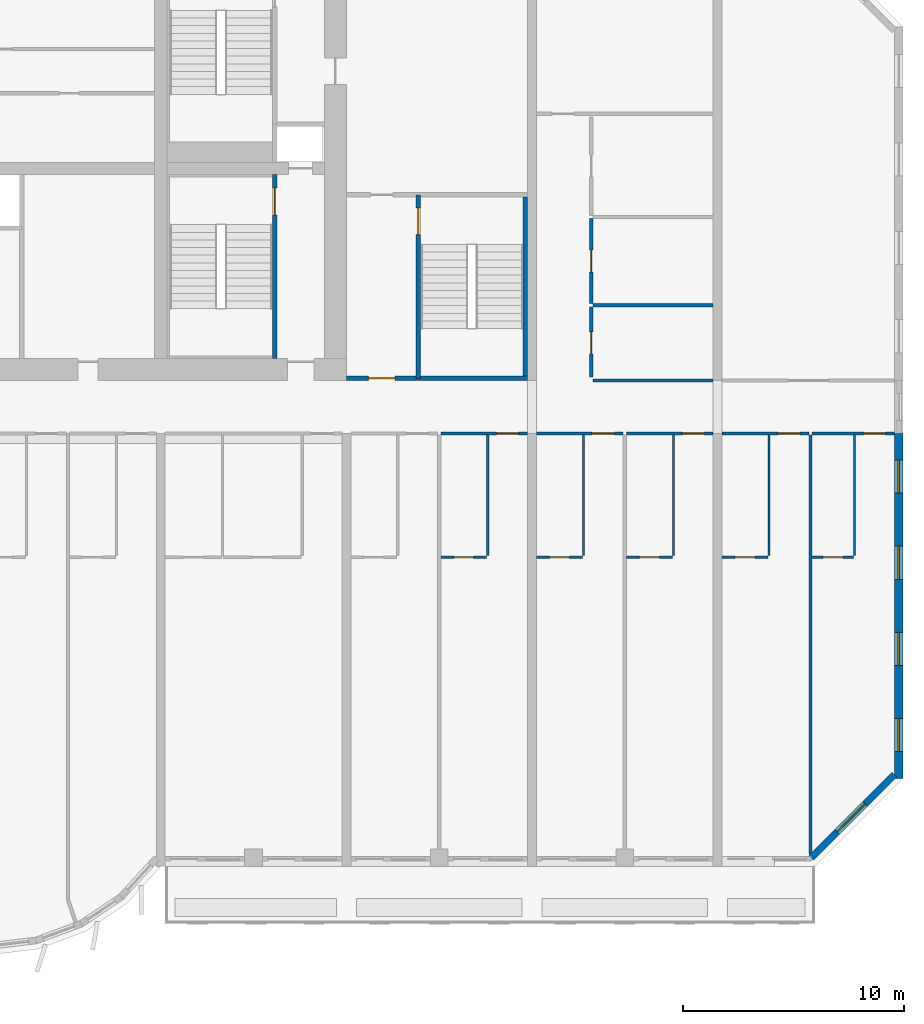
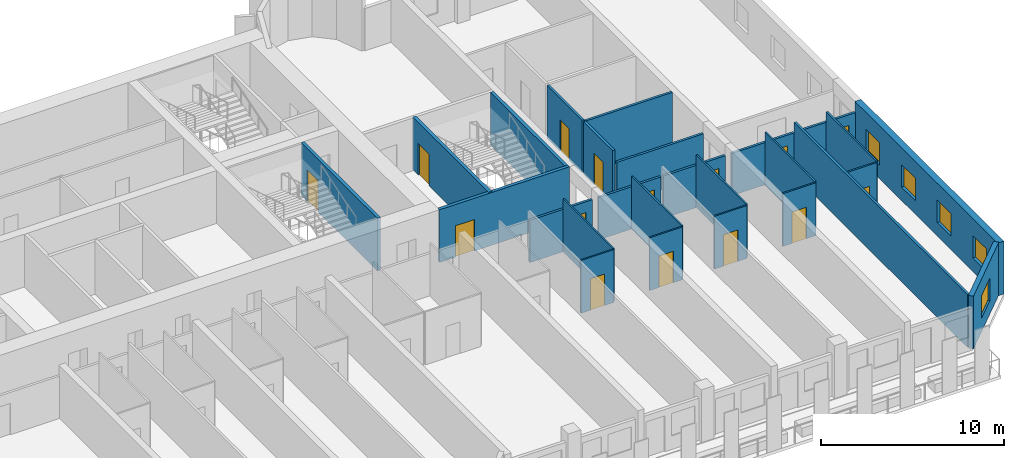
# One storey, part 9 of 14: 26 walls, 15 doors, 5 windows, 20 openings.
"""IFC4 building model written with IfcOpenShell, lengths in metres."""

from ifc_helpers import new_model, si_unit, direction, frame, frame_2d, origin, place, context, subcontext, project, spatial, rectangle, extrude, source, transform, mapped, material, layer, layer_set, type_object, element, fill, save


model = new_model("IFC4")

# Units and contexts
model_context = context("Model", 3, precision=1e-05, world=origin(), true_north=direction((0.0, 1.0)))
body_context = subcontext(model_context, "Body", "Model", "MODEL_VIEW")
ifc_project = project(units=[si_unit("LENGTHUNIT", "METRE"), si_unit("AREAUNIT", "SQUARE_METRE"), si_unit("VOLUMEUNIT", "CUBIC_METRE"), si_unit("PLANEANGLEUNIT", "RADIAN"), si_unit("MASSUNIT", "GRAM", prefix="KILO")], contexts=[model_context])

# Site, building, storey
site_placement = place(None, origin())
site = spatial("IfcSite", under=ifc_project, at=site_placement, CompositionType="ELEMENT")
building_placement = place(site_placement, origin())
building = spatial("IfcBuilding", under=site, at=building_placement, Name="Vanashikhar Sky Hotel", CompositionType="ELEMENT")
storey_placement = place(building_placement, frame((0.0, 0.0, 54.39990234375)))
storey = spatial("IfcBuildingStorey", under=building, at=storey_placement, Name="L12", CompositionType="ELEMENT", Elevation=54.39990234375)

# Wall, openings, windows
ifc_material_1 = material(Name="Concrete M80", Category="concrete")
ifc_layer_1 = layer(ifc_material_1, 0.39990234375)
ifc_layer_set_1 = layer_set([ifc_layer_1], Name="RC shear wall 400 Concrete M80")
wall_type_1 = type_object("IfcWallType", Name="RC shear wall 400 Concrete M80", PredefinedType="SHEAR", material=ifc_layer_set_1)
shared_shape_1 = source(origin(), body_context, "Body", "SweptSolid", [
    extrude(rectangle(XDim=15.60009765625, YDim=0.39990234375, at=frame_2d((7.800048828125, 0.0))), origin(), (0.0, 0.0, 1.0), 3.52001953125),
])
wall_1_placement = place(storey_placement, frame((100.60009765625, 4.0, 0.0), z_axis=(0.0, 0.0, 1.0), x_axis=(0.0, 1.0, 0.0)))
wall_1 = element("IfcWall", 1, at=wall_1_placement, inside=storey, type_object=wall_type_1, Name="CW-L12-XW13-1", PredefinedType="SHEAR", context=body_context, shape_type="MappedRepresentation", body=[
    mapped(shared_shape_1, transform((0.0, 0.0, 0.0), scale=1.0)),
])
shared_shape_2 = source(origin(), body_context, "Body", "SweptSolid", [
    extrude(rectangle(XDim=1.5, YDim=1.5, at=frame_2d((0.75, 0.75))), frame((0.0, 0.2099609375, 0.0), z_axis=(0.0, -1.0, 0.0), x_axis=(1.0, 0.0, 0.0)), (0.0, 0.0, 1.0), 0.419921875),
])
opening_1_placement = place(wall_1_placement, frame((1.199951171875, 0.0, 0.89990234375)))
opening_1 = element("IfcOpeningElement", 2, at=opening_1_placement, cuts=wall_1, Name="Opening WN-1", PredefinedType="OPENING", context=body_context, shape_type="MappedRepresentation", body=[
    mapped(shared_shape_2, transform((0.0, 0.0, 0.0), scale=1.0)),
])
opening_2_placement = place(wall_1_placement, frame((5.10009765625, 0.0, 0.89990234375)))
opening_2 = element("IfcOpeningElement", 3, at=opening_2_placement, cuts=wall_1, Name="Opening WN-1", PredefinedType="OPENING", context=body_context, shape_type="MappedRepresentation", body=[
    mapped(shared_shape_2, transform((0.0, 0.0, 0.0), scale=1.0)),
])
opening_3_placement = place(wall_1_placement, frame((9.0, 0.0, 0.89990234375)))
opening_3 = element("IfcOpeningElement", 4, at=opening_3_placement, cuts=wall_1, Name="Opening WN-1", PredefinedType="OPENING", context=body_context, shape_type="MappedRepresentation", body=[
    mapped(shared_shape_2, transform((0.0, 0.0, 0.0), scale=1.0)),
])
opening_4_placement = place(wall_1_placement, frame((12.89990234375, 0.0, 0.89990234375)))
opening_4 = element("IfcOpeningElement", 5, at=opening_4_placement, cuts=wall_1, Name="Opening WN-1", PredefinedType="OPENING", context=body_context, shape_type="MappedRepresentation", body=[
    mapped(shared_shape_2, transform((0.0, 0.0, 0.0), scale=1.0)),
])
ifc_material_2 = material(Name="Glass", Category="glass")
window_type_1 = type_object("IfcWindowType", Name="Window 1500 x 1500", PartitioningType="SINGLE_PANEL", PredefinedType="WINDOW", material=ifc_material_2)
shared_shape_3 = source(origin(), body_context, "Body", "SweptSolid", [
    extrude(rectangle(XDim=1.5, YDim=1.5, at=frame_2d((0.75, 0.75))), frame((0.0, 0.030029296875, 0.0), z_axis=(0.0, -1.0, 0.0), x_axis=(1.0, 0.0, 0.0)), (0.0, 0.0, 1.0), 0.06005859375),
])
window_1_placement = place(opening_1_placement, origin())
window_1 = element("IfcWindow", 6, at=window_1_placement, inside=storey, type_object=window_type_1, Name="Window WN-1", OverallHeight=1.5, OverallWidth=1.5, PartitioningType="SINGLE_PANEL", PredefinedType="WINDOW", context=body_context, shape_type="MappedRepresentation", body=[
    mapped(shared_shape_3, transform((0.0, 0.0, 0.0), scale=1.0)),
])
fill(opening_1, window_1)
window_2_placement = place(opening_2_placement, origin())
window_2 = element("IfcWindow", 7, at=window_2_placement, inside=storey, type_object=window_type_1, Name="Window WN-1", OverallHeight=1.5, OverallWidth=1.5, PartitioningType="SINGLE_PANEL", PredefinedType="WINDOW", context=body_context, shape_type="MappedRepresentation", body=[
    mapped(shared_shape_3, transform((0.0, 0.0, 0.0), scale=1.0)),
])
fill(opening_2, window_2)
window_3_placement = place(opening_3_placement, origin())
window_3 = element("IfcWindow", 8, at=window_3_placement, inside=storey, type_object=window_type_1, Name="Window WN-1", OverallHeight=1.5, OverallWidth=1.5, PartitioningType="SINGLE_PANEL", PredefinedType="WINDOW", context=body_context, shape_type="MappedRepresentation", body=[
    mapped(shared_shape_3, transform((0.0, 0.0, 0.0), scale=1.0)),
])
fill(opening_3, window_3)
window_4_placement = place(opening_4_placement, origin())
window_4 = element("IfcWindow", 9, at=window_4_placement, inside=storey, type_object=window_type_1, Name="Window WN-1", OverallHeight=1.5, OverallWidth=1.5, PartitioningType="SINGLE_PANEL", PredefinedType="WINDOW", context=body_context, shape_type="MappedRepresentation", body=[
    mapped(shared_shape_3, transform((0.0, 0.0, 0.0), scale=1.0)),
])
fill(opening_4, window_4)

# Wall, opening, window
ifc_material_3 = material(Name="Concrete M50", Category="concrete")
ifc_layer_2 = layer(ifc_material_3, 0.300048828125)
ifc_layer_set_2 = layer_set([ifc_layer_2], Name="Lobe wall 300")
wall_type_2 = type_object("IfcWallType", Name="Lobe wall 300", PredefinedType="SOLIDWALL", material=ifc_layer_set_2)
shared_shape_4 = source(origin(), body_context, "Body", "SweptSolid", [
    extrude(rectangle(XDim=5.32568359375, YDim=0.300048828125, at=frame_2d((2.662841796875, 0.0))), origin(), (0.0, 0.0, 1.0), 3.52001953125),
])
wall_2_placement = place(storey_placement, frame((96.63427734375, 0.39990234375, 0.0), z_axis=(0.0, 0.0, 1.0), x_axis=(0.707083859269, 0.707129702361, 0.0)))
wall_2 = element("IfcWall", 10, at=wall_2_placement, inside=storey, type_object=wall_type_2, Name="Corner wall", PredefinedType="SOLIDWALL", context=body_context, shape_type="MappedRepresentation", body=[
    mapped(shared_shape_4, transform((0.0, 0.0, 0.0), scale=1.0)),
])
shared_shape_5 = source(origin(), body_context, "Body", "SweptSolid", [
    extrude(rectangle(XDim=1.800048828125, YDim=1.5, at=frame_2d((0.89990234375, 0.75))), frame((0.0, 0.16015625, 0.0), z_axis=(0.0, -1.0, 0.0), x_axis=(1.0, 0.0, 0.0)), (0.0, 0.0, 1.0), 0.320068359375),
])
opening_5_placement = place(wall_2_placement, frame((1.654296875, 0.0, 0.89990234375)))
opening_5 = element("IfcOpeningElement", 11, at=opening_5_placement, cuts=wall_2, Name="Opening WN-4", PredefinedType="OPENING", context=body_context, shape_type="MappedRepresentation", body=[
    mapped(shared_shape_5, transform((0.0, 0.0, 0.0), scale=1.0)),
])
window_type_2 = type_object("IfcWindowType", Name="Corner window 1800 x 1500", PartitioningType="SINGLE_PANEL", PredefinedType="WINDOW", material=ifc_material_2)
shared_shape_6 = source(origin(), body_context, "Body", "SweptSolid", [
    extrude(rectangle(XDim=1.800048828125, YDim=1.5, at=frame_2d((0.89990234375, 0.75))), frame((0.0, 0.030029296875, 0.0), z_axis=(0.0, -1.0, 0.0), x_axis=(1.0, 0.0, 0.0)), (0.0, 0.0, 1.0), 0.06005859375),
])
window_5_placement = place(opening_5_placement, origin())
window_5 = element("IfcWindow", 12, at=window_5_placement, inside=storey, type_object=window_type_2, Name="Window WN-4", OverallHeight=1.5, OverallWidth=1.800048828125, PartitioningType="SINGLE_PANEL", PredefinedType="WINDOW", context=body_context, shape_type="MappedRepresentation", body=[
    mapped(shared_shape_6, transform((0.0, 0.0, 0.0), scale=1.0)),
])
fill(opening_5, window_5)

# Wall, opening, door
ifc_layer_3 = layer(ifc_material_3, 0.199951171875)
ifc_layer_set_3 = layer_set([ifc_layer_3], Name="Stair wall 200")
wall_type_3 = type_object("IfcWallType", Name="Stair wall 200", PredefinedType="SOLIDWALL", material=ifc_layer_set_3)
shared_shape_7 = source(origin(), body_context, "Body", "SweptSolid", [
    extrude(rectangle(XDim=8.199951171875, YDim=0.199951171875, at=frame_2d((4.10009765625, 0.0))), origin(), (0.0, 0.0, 1.0), 3.52001953125),
])
wall_3_placement = place(storey_placement, frame((83.800048828125, 22.10009765625, 0.0), z_axis=(0.0, 0.0, 1.0), x_axis=(-1.0, 0.0, 0.0)))
wall_3 = element("IfcWall", 13, at=wall_3_placement, inside=storey, type_object=wall_type_3, Name="Stair wall 200", PredefinedType="SOLIDWALL", context=body_context, shape_type="MappedRepresentation", body=[
    mapped(shared_shape_7, transform((0.0, 0.0, 0.0), scale=1.0)),
])
shared_shape_8 = source(origin(), body_context, "Body", "SweptSolid", [
    extrude(rectangle(XDim=1.199951171875, YDim=2.10009765625, at=frame_2d((0.60009765625, 1.050048828125))), frame((0.0, 0.10986328125, 0.0), z_axis=(0.0, -1.0, 0.0), x_axis=(1.0, 0.0, 0.0)), (0.0, 0.0, 1.0), 0.219970703125),
])
opening_6_placement = place(wall_3_placement, frame((6.0, 0.0, 0.0)))
opening_6 = element("IfcOpeningElement", 14, at=opening_6_placement, cuts=wall_3, Name="Opening DC-2", PredefinedType="OPENING", context=body_context, shape_type="MappedRepresentation", body=[
    mapped(shared_shape_8, transform((0.0, 0.0, 0.0), scale=1.0)),
])
ifc_material_4 = material(Name="Steel", Category="steel")
door_type_1 = type_object("IfcDoorType", Name="Firefighting lobby door 1200 FD120", OperationType="NOTDEFINED", PredefinedType="DOOR", material=ifc_material_4)
shared_shape_9 = source(origin(), body_context, "Body", "SweptSolid", [
    extrude(rectangle(XDim=1.199951171875, YDim=2.10009765625, at=frame_2d((0.60009765625, 1.050048828125))), frame((0.0, 0.02490234375, 0.0), z_axis=(0.0, -1.0, 0.0), x_axis=(1.0, 0.0, 0.0)), (0.0, 0.0, 1.0), 0.050048828125),
])
door_1_placement = place(opening_6_placement, origin())
door_1 = element("IfcDoor", 15, at=door_1_placement, inside=storey, type_object=door_type_1, Name="Firefighting lobby door 1200 FD120", OperationType="SINGLE_SWING_LEFT", OverallHeight=2.10009765625, OverallWidth=1.199951171875, PredefinedType="DOOR", context=body_context, shape_type="MappedRepresentation", body=[
    mapped(shared_shape_9, transform((0.0, 0.0, 0.0), scale=1.0)),
])
fill(opening_6, door_1)

shared_shape_10 = source(origin(), body_context, "Body", "SweptSolid", [
    extrude(rectangle(XDim=8.2998046875, YDim=0.199951171875, at=frame_2d((4.14990234375, 0.0))), origin(), (0.0, 0.0, 1.0), 3.52001953125),
])
wall_4_placement = place(storey_placement, frame((78.85009765625, 22.10009765625, 0.0), z_axis=(0.0, 0.0, 1.0), x_axis=(0.0, 1.0, 0.0)))
wall_4 = element("IfcWall", 16, at=wall_4_placement, inside=storey, type_object=wall_type_3, Name="Stair wall 200", PredefinedType="SOLIDWALL", context=body_context, shape_type="MappedRepresentation", body=[
    mapped(shared_shape_10, transform((0.0, 0.0, 0.0), scale=1.0)),
])
opening_7_placement = place(wall_4_placement, frame((6.5, 0.0, 0.0)))
opening_7 = element("IfcOpeningElement", 17, at=opening_7_placement, cuts=wall_4, Name="Opening DC-1", PredefinedType="OPENING", context=body_context, shape_type="MappedRepresentation", body=[
    mapped(shared_shape_8, transform((0.0, 0.0, 0.0), scale=1.0)),
])
door_type_2 = type_object("IfcDoorType", Name="Stair door 1200 FD120", OperationType="NOTDEFINED", PredefinedType="DOOR", material=ifc_material_4)
door_2_placement = place(opening_7_placement, origin())
door_2 = element("IfcDoor", 18, at=door_2_placement, inside=storey, type_object=door_type_2, Name="Stair door 1200 FD120", OperationType="SINGLE_SWING_LEFT", OverallHeight=2.10009765625, OverallWidth=1.199951171875, PredefinedType="DOOR", context=body_context, shape_type="MappedRepresentation", body=[
    mapped(shared_shape_9, transform((0.0, 0.0, 0.0), scale=1.0)),
])
fill(opening_7, door_2)

shared_shape_11 = source(origin(), body_context, "Body", "SweptSolid", [
    extrude(rectangle(XDim=8.324951171875, YDim=0.199951171875, at=frame_2d((4.16259765625, 0.0))), origin(), (0.0, 0.0, 1.0), 3.52001953125),
])
wall_5_placement = place(storey_placement, frame((72.35009765625, 23.0, 0.0), z_axis=(0.0, 0.0, 1.0), x_axis=(0.0, 1.0, 0.0)))
wall_5 = element("IfcWall", 19, at=wall_5_placement, inside=storey, type_object=wall_type_3, Name="Stair wall 200", PredefinedType="SOLIDWALL", context=body_context, shape_type="MappedRepresentation", body=[
    mapped(shared_shape_11, transform((0.0, 0.0, 0.0), scale=1.0)),
])
opening_8_placement = place(wall_5_placement, frame((6.5, 0.0, 0.0)))
opening_8 = element("IfcOpeningElement", 20, at=opening_8_placement, cuts=wall_5, Name="Opening DC-1", PredefinedType="OPENING", context=body_context, shape_type="MappedRepresentation", body=[
    mapped(shared_shape_8, transform((0.0, 0.0, 0.0), scale=1.0)),
])
door_3_placement = place(opening_8_placement, origin())
door_3 = element("IfcDoor", 21, at=door_3_placement, inside=storey, type_object=door_type_2, Name="Stair door 1200 FD120", OperationType="SINGLE_SWING_RIGHT", OverallHeight=2.10009765625, OverallWidth=1.199951171875, PredefinedType="DOOR", context=body_context, shape_type="MappedRepresentation", body=[
    mapped(shared_shape_9, transform((0.0, 0.0, 0.0), scale=1.0)),
])
fill(opening_8, door_3)

# Walls
ifc_layer_4 = layer(ifc_material_3, 0.199951171875)
ifc_layer_set_4 = layer_set([ifc_layer_4], Name="Stair infill wall 200")
wall_type_4 = type_object("IfcWallType", Name="Stair infill wall 200", PredefinedType="SOLIDWALL", material=ifc_layer_set_4)
shared_shape_12 = source(origin(), body_context, "Body", "SweptSolid", [
    extrude(rectangle(XDim=8.10009765625, YDim=0.199951171875, at=frame_2d((4.050048828125, 0.0))), origin(), (0.0, 0.0, 1.0), 3.52001953125),
])
wall_6_placement = place(storey_placement, frame((83.699951171875, 22.199951171875, 0.0), z_axis=(0.0, 0.0, 1.0), x_axis=(0.0, 1.0, 0.0)))
element("IfcWall", 22, at=wall_6_placement, inside=storey, type_object=wall_type_4, Name="Stair infill wall 200", PredefinedType="SOLIDWALL", context=body_context, shape_type="MappedRepresentation", body=[
    mapped(shared_shape_12, transform((0.0, 0.0, 0.0), scale=1.0)),
])
ifc_material_5 = material(Name="Gypsum plasterboard partition")
ifc_layer_5 = layer(ifc_material_5, 0.14990234375)
ifc_layer_set_5 = layer_set([ifc_layer_5], Name="Corridor and demising partition 150")
wall_type_5 = type_object("IfcWallType", Name="Corridor and demising partition 150", PredefinedType="PARTITIONING", material=ifc_layer_set_5)
shared_shape_13 = source(origin(), body_context, "Body", "SweptSolid", [
    extrude(rectangle(XDim=18.947021484375, YDim=0.14990234375, at=frame_2d((9.4736328125, 0.0))), origin(), (0.0, 0.0, 1.0), 3.52001953125),
])
wall_7_placement = place(storey_placement, frame((96.60009765625, 0.577880859375, 0.0), z_axis=(0.0, 0.0, 1.0), x_axis=(0.0, 1.0, 0.0)))
element("IfcWall", 23, at=wall_7_placement, inside=storey, type_object=wall_type_5, Name="W-L12-PW070", PredefinedType="PARTITIONING", context=body_context, shape_type="MappedRepresentation", body=[
    mapped(shared_shape_13, transform((0.0, 0.0, 0.0), scale=1.0)),
])

# Wall, opening, door
shared_shape_14 = source(origin(), body_context, "Body", "SweptSolid", [
    extrude(rectangle(XDim=3.175048828125, YDim=0.14990234375, at=frame_2d((1.58740234375, 0.0))), origin(), (0.0, 0.0, 1.0), 3.52001953125),
])
wall_8_placement = place(storey_placement, frame((86.675048828125, 22.14990234375, 0.0), z_axis=(0.0, 0.0, 1.0), x_axis=(0.0, 1.0, 0.0)))
wall_8 = element("IfcWall", 24, at=wall_8_placement, inside=storey, type_object=wall_type_5, Name="W-L12-PW086", PredefinedType="PARTITIONING", context=body_context, shape_type="MappedRepresentation", body=[
    mapped(shared_shape_14, transform((0.0, 0.0, 0.0), scale=1.0)),
])
shared_shape_15 = source(origin(), body_context, "Body", "SweptSolid", [
    extrude(rectangle(XDim=1.0, YDim=2.10009765625, at=frame_2d((0.5, 1.050048828125))), frame((0.0, 0.0849609375, 0.0), z_axis=(0.0, -1.0, 0.0), x_axis=(1.0, 0.0, 0.0)), (0.0, 0.0, 1.0), 0.169921875),
])
opening_9_placement = place(wall_8_placement, frame((1.050048828125, 0.0, 0.0)))
opening_9 = element("IfcOpeningElement", 25, at=opening_9_placement, cuts=wall_8, Name="Opening D-01", PredefinedType="OPENING", context=body_context, shape_type="MappedRepresentation", body=[
    mapped(shared_shape_15, transform((0.0, 0.0, 0.0), scale=1.0)),
])
ifc_material_6 = material(Name="Timber fire door", Category="wood")
door_type_3 = type_object("IfcDoorType", Name="Guest entry door 1000 FD30S", OperationType="NOTDEFINED", PredefinedType="DOOR", material=ifc_material_6)
shared_shape_16 = source(origin(), body_context, "Body", "SweptSolid", [
    extrude(rectangle(XDim=1.0, YDim=2.10009765625, at=frame_2d((0.5, 1.050048828125))), frame((0.0, 0.02490234375, 0.0), z_axis=(0.0, -1.0, 0.0), x_axis=(1.0, 0.0, 0.0)), (0.0, 0.0, 1.0), 0.050048828125),
])
door_4_placement = place(opening_9_placement, origin())
door_4 = element("IfcDoor", 26, at=door_4_placement, inside=storey, type_object=door_type_3, Name="D-L12-049", OperationType="SINGLE_SWING_LEFT", OverallHeight=2.10009765625, OverallWidth=1.0, PredefinedType="DOOR", context=body_context, shape_type="MappedRepresentation", body=[
    mapped(shared_shape_16, transform((0.0, 0.0, 0.0), scale=1.0)),
])
fill(opening_9, door_4)

shared_shape_17 = source(origin(), body_context, "Body", "SweptSolid", [
    extrude(rectangle(XDim=3.849853515625, YDim=0.14990234375, at=frame_2d((1.9248046875, 0.0))), origin(), (0.0, 0.0, 1.0), 3.52001953125),
])
wall_9_placement = place(storey_placement, frame((86.675048828125, 25.47509765625, 0.0), z_axis=(0.0, 0.0, 1.0), x_axis=(0.0, 1.0, 0.0)))
wall_9 = element("IfcWall", 27, at=wall_9_placement, inside=storey, type_object=wall_type_5, Name="W-L12-PW088", PredefinedType="PARTITIONING", context=body_context, shape_type="MappedRepresentation", body=[
    mapped(shared_shape_17, transform((0.0, 0.0, 0.0), scale=1.0)),
])
opening_10_placement = place(wall_9_placement, frame((1.425048828125, 0.0, 0.0)))
opening_10 = element("IfcOpeningElement", 28, at=opening_10_placement, cuts=wall_9, Name="Opening D-01", PredefinedType="OPENING", context=body_context, shape_type="MappedRepresentation", body=[
    mapped(shared_shape_15, transform((0.0, 0.0, 0.0), scale=1.0)),
])
door_5_placement = place(opening_10_placement, origin())
door_5 = element("IfcDoor", 29, at=door_5_placement, inside=storey, type_object=door_type_3, Name="D-L12-050", OperationType="SINGLE_SWING_LEFT", OverallHeight=2.10009765625, OverallWidth=1.0, PredefinedType="DOOR", context=body_context, shape_type="MappedRepresentation", body=[
    mapped(shared_shape_16, transform((0.0, 0.0, 0.0), scale=1.0)),
])
fill(opening_10, door_5)

ifc_layer_6 = layer(ifc_material_5, 0.10009765625)
ifc_layer_set_6 = layer_set([ifc_layer_6], Name="Wet room partition 100")
wall_type_6 = type_object("IfcWallType", Name="Wet room partition 100", PredefinedType="PARTITIONING", material=ifc_layer_set_6)
shared_shape_18 = source(origin(), body_context, "Body", "SweptSolid", [
    extrude(rectangle(XDim=2.074951171875, YDim=0.10009765625, at=frame_2d((1.03759765625, 0.0))), origin(), (0.0, 0.0, 1.0), 3.52001953125),
])
wall_10_placement = place(storey_placement, frame((79.875, 14.0, 0.0), z_axis=(0.0, 0.0, 1.0), x_axis=(1.0, 0.0, 0.0)))
wall_10 = element("IfcWall", 30, at=wall_10_placement, inside=storey, type_object=wall_type_6, Name="W-L12-PW054", PredefinedType="PARTITIONING", context=body_context, shape_type="MappedRepresentation", body=[
    mapped(shared_shape_18, transform((0.0, 0.0, 0.0), scale=1.0)),
])
shared_shape_19 = source(origin(), body_context, "Body", "SweptSolid", [
    extrude(rectangle(XDim=0.89990234375, YDim=2.10009765625, at=frame_2d((0.449951171875, 1.050048828125))), frame((0.0, 0.06005859375, 0.0), z_axis=(0.0, -1.0, 0.0), x_axis=(1.0, 0.0, 0.0)), (0.0, 0.0, 1.0), 0.1201171875),
])
opening_11_placement = place(wall_10_placement, frame((0.5869140625, 0.0, 0.0)))
opening_11 = element("IfcOpeningElement", 31, at=opening_11_placement, cuts=wall_10, Name="Opening D-02", PredefinedType="OPENING", context=body_context, shape_type="MappedRepresentation", body=[
    mapped(shared_shape_19, transform((0.0, 0.0, 0.0), scale=1.0)),
])
ifc_material_7 = material(Name="Timber door", Category="wood")
door_type_4 = type_object("IfcDoorType", Name="Internal door 900", OperationType="NOTDEFINED", PredefinedType="DOOR", material=ifc_material_7)
shared_shape_20 = source(origin(), body_context, "Body", "SweptSolid", [
    extrude(rectangle(XDim=0.89990234375, YDim=2.10009765625, at=frame_2d((0.449951171875, 1.050048828125))), frame((0.0, 0.02490234375, 0.0), z_axis=(0.0, -1.0, 0.0), x_axis=(1.0, 0.0, 0.0)), (0.0, 0.0, 1.0), 0.050048828125),
])
door_6_placement = place(opening_11_placement, origin())
door_6 = element("IfcDoor", 32, at=door_6_placement, inside=storey, type_object=door_type_4, Name="D-L12-032", OperationType="SINGLE_SWING_RIGHT", OverallHeight=2.10009765625, OverallWidth=0.89990234375, PredefinedType="DOOR", context=body_context, shape_type="MappedRepresentation", body=[
    mapped(shared_shape_20, transform((0.0, 0.0, 0.0), scale=1.0)),
])
fill(opening_11, door_6)

wall_11_placement = place(storey_placement, frame((84.199951171875, 14.0, 0.0), z_axis=(0.0, 0.0, 1.0), x_axis=(1.0, 0.0, 0.0)))
wall_11 = element("IfcWall", 33, at=wall_11_placement, inside=storey, type_object=wall_type_6, Name="W-L12-PW058", PredefinedType="PARTITIONING", context=body_context, shape_type="MappedRepresentation", body=[
    mapped(shared_shape_18, transform((0.0, 0.0, 0.0), scale=1.0)),
])
opening_12_placement = place(wall_11_placement, frame((0.587890625, 0.0, 0.0)))
opening_12 = element("IfcOpeningElement", 34, at=opening_12_placement, cuts=wall_11, Name="Opening D-02", PredefinedType="OPENING", context=body_context, shape_type="MappedRepresentation", body=[
    mapped(shared_shape_19, transform((0.0, 0.0, 0.0), scale=1.0)),
])
door_7_placement = place(opening_12_placement, origin())
door_7 = element("IfcDoor", 35, at=door_7_placement, inside=storey, type_object=door_type_4, Name="D-L12-034", OperationType="SINGLE_SWING_RIGHT", OverallHeight=2.10009765625, OverallWidth=0.89990234375, PredefinedType="DOOR", context=body_context, shape_type="MappedRepresentation", body=[
    mapped(shared_shape_20, transform((0.0, 0.0, 0.0), scale=1.0)),
])
fill(opening_12, door_7)

wall_12_placement = place(storey_placement, frame((92.60009765625, 14.0, 0.0), z_axis=(0.0, 0.0, 1.0), x_axis=(1.0, 0.0, 0.0)))
wall_12 = element("IfcWall", 36, at=wall_12_placement, inside=storey, type_object=wall_type_6, Name="W-L12-PW065", PredefinedType="PARTITIONING", context=body_context, shape_type="MappedRepresentation", body=[
    mapped(shared_shape_18, transform((0.0, 0.0, 0.0), scale=1.0)),
])
opening_13_placement = place(wall_12_placement, frame((0.5869140625, 0.0, 0.0)))
opening_13 = element("IfcOpeningElement", 37, at=opening_13_placement, cuts=wall_12, Name="Opening D-02", PredefinedType="OPENING", context=body_context, shape_type="MappedRepresentation", body=[
    mapped(shared_shape_19, transform((0.0, 0.0, 0.0), scale=1.0)),
])
door_8_placement = place(opening_13_placement, origin())
door_8 = element("IfcDoor", 38, at=door_8_placement, inside=storey, type_object=door_type_4, Name="D-L12-038", OperationType="SINGLE_SWING_RIGHT", OverallHeight=2.10009765625, OverallWidth=0.89990234375, PredefinedType="DOOR", context=body_context, shape_type="MappedRepresentation", body=[
    mapped(shared_shape_20, transform((0.0, 0.0, 0.0), scale=1.0)),
])
fill(opening_13, door_8)

shared_shape_21 = source(origin(), body_context, "Body", "SweptSolid", [
    extrude(rectangle(XDim=3.9248046875, YDim=0.14990234375, at=frame_2d((1.96240234375, 0.0))), origin(), (0.0, 0.0, 1.0), 2.820068359375),
])
wall_13_placement = place(storey_placement, frame((92.60009765625, 19.60009765625, 0.0), z_axis=(0.0, 0.0, 1.0), x_axis=(1.0, 0.0, 0.0)))
wall_13 = element("IfcWall", 39, at=wall_13_placement, inside=storey, type_object=wall_type_5, Name="W-L12-PW066", PredefinedType="PARTITIONING", context=body_context, shape_type="MappedRepresentation", body=[
    mapped(shared_shape_21, transform((0.0, 0.0, 0.0), scale=1.0)),
])
opening_14_placement = place(wall_13_placement, frame((2.52490234375, 0.0, 0.0)))
opening_14 = element("IfcOpeningElement", 40, at=opening_14_placement, cuts=wall_13, Name="Opening D-01", PredefinedType="OPENING", context=body_context, shape_type="MappedRepresentation", body=[
    mapped(shared_shape_15, transform((0.0, 0.0, 0.0), scale=1.0)),
])
door_9_placement = place(opening_14_placement, origin())
door_9 = element("IfcDoor", 41, at=door_9_placement, inside=storey, type_object=door_type_3, Name="D-L12-039", OperationType="SINGLE_SWING_RIGHT", OverallHeight=2.10009765625, OverallWidth=1.0, PredefinedType="DOOR", context=body_context, shape_type="MappedRepresentation", body=[
    mapped(shared_shape_16, transform((0.0, 0.0, 0.0), scale=1.0)),
])
fill(opening_14, door_9)

shared_shape_22 = source(origin(), body_context, "Body", "SweptSolid", [
    extrude(rectangle(XDim=3.925048828125, YDim=0.14990234375, at=frame_2d((1.96240234375, 0.0))), origin(), (0.0, 0.0, 1.0), 2.820068359375),
])
wall_14_placement = place(storey_placement, frame((79.875, 19.60009765625, 0.0), z_axis=(0.0, 0.0, 1.0), x_axis=(1.0, 0.0, 0.0)))
wall_14 = element("IfcWall", 42, at=wall_14_placement, inside=storey, type_object=wall_type_5, Name="W-L12-PW055", PredefinedType="PARTITIONING", context=body_context, shape_type="MappedRepresentation", body=[
    mapped(shared_shape_22, transform((0.0, 0.0, 0.0), scale=1.0)),
])
opening_15_placement = place(wall_14_placement, frame((2.52490234375, 0.0, 0.0)))
opening_15 = element("IfcOpeningElement", 43, at=opening_15_placement, cuts=wall_14, Name="Opening D-01", PredefinedType="OPENING", context=body_context, shape_type="MappedRepresentation", body=[
    mapped(shared_shape_15, transform((0.0, 0.0, 0.0), scale=1.0)),
])
door_10_placement = place(opening_15_placement, origin())
door_10 = element("IfcDoor", 44, at=door_10_placement, inside=storey, type_object=door_type_3, Name="D-L12-033", OperationType="SINGLE_SWING_RIGHT", OverallHeight=2.10009765625, OverallWidth=1.0, PredefinedType="DOOR", context=body_context, shape_type="MappedRepresentation", body=[
    mapped(shared_shape_16, transform((0.0, 0.0, 0.0), scale=1.0)),
])
fill(opening_15, door_10)

wall_15_placement = place(storey_placement, frame((84.199951171875, 19.60009765625, 0.0), z_axis=(0.0, 0.0, 1.0), x_axis=(1.0, 0.0, 0.0)))
wall_15 = element("IfcWall", 45, at=wall_15_placement, inside=storey, type_object=wall_type_5, Name="W-L12-PW059", PredefinedType="PARTITIONING", context=body_context, shape_type="MappedRepresentation", body=[
    mapped(shared_shape_22, transform((0.0, 0.0, 0.0), scale=1.0)),
])
opening_16_placement = place(wall_15_placement, frame((2.52490234375, 0.0, 0.0)))
opening_16 = element("IfcOpeningElement", 46, at=opening_16_placement, cuts=wall_15, Name="Opening D-01", PredefinedType="OPENING", context=body_context, shape_type="MappedRepresentation", body=[
    mapped(shared_shape_15, transform((0.0, 0.0, 0.0), scale=1.0)),
])
door_11_placement = place(opening_16_placement, origin())
door_11 = element("IfcDoor", 47, at=door_11_placement, inside=storey, type_object=door_type_3, Name="D-L12-035", OperationType="SINGLE_SWING_RIGHT", OverallHeight=2.10009765625, OverallWidth=1.0, PredefinedType="DOOR", context=body_context, shape_type="MappedRepresentation", body=[
    mapped(shared_shape_16, transform((0.0, 0.0, 0.0), scale=1.0)),
])
fill(opening_16, door_11)

wall_16_placement = place(storey_placement, frame((88.27490234375, 19.60009765625, 0.0), z_axis=(0.0, 0.0, 1.0), x_axis=(1.0, 0.0, 0.0)))
wall_16 = element("IfcWall", 48, at=wall_16_placement, inside=storey, type_object=wall_type_5, Name="W-L12-PW062", PredefinedType="PARTITIONING", context=body_context, shape_type="MappedRepresentation", body=[
    mapped(shared_shape_22, transform((0.0, 0.0, 0.0), scale=1.0)),
])
opening_17_placement = place(wall_16_placement, frame((2.52490234375, 0.0, 0.0)))
opening_17 = element("IfcOpeningElement", 49, at=opening_17_placement, cuts=wall_16, Name="Opening D-01", PredefinedType="OPENING", context=body_context, shape_type="MappedRepresentation", body=[
    mapped(shared_shape_15, transform((0.0, 0.0, 0.0), scale=1.0)),
])
door_12_placement = place(opening_17_placement, origin())
door_12 = element("IfcDoor", 50, at=door_12_placement, inside=storey, type_object=door_type_3, Name="D-L12-037", OperationType="SINGLE_SWING_RIGHT", OverallHeight=2.10009765625, OverallWidth=1.0, PredefinedType="DOOR", context=body_context, shape_type="MappedRepresentation", body=[
    mapped(shared_shape_16, transform((0.0, 0.0, 0.0), scale=1.0)),
])
fill(opening_17, door_12)

# Walls
shared_shape_23 = source(origin(), body_context, "Body", "SweptSolid", [
    extrude(rectangle(XDim=5.449951171875, YDim=0.14990234375, at=frame_2d((2.72509765625, 0.0))), origin(), (0.0, 0.0, 1.0), 2.820068359375),
])
wall_17_placement = place(storey_placement, frame((86.75, 22.0, 0.0), z_axis=(0.0, 0.0, 1.0), x_axis=(1.0, 0.0, 0.0)))
element("IfcWall", 51, at=wall_17_placement, inside=storey, type_object=wall_type_5, Name="W-L12-PW085", PredefinedType="PARTITIONING", context=body_context, shape_type="MappedRepresentation", body=[
    mapped(shared_shape_23, transform((0.0, 0.0, 0.0), scale=1.0)),
])
shared_shape_24 = source(origin(), body_context, "Body", "SweptSolid", [
    extrude(rectangle(XDim=5.449951171875, YDim=0.14990234375, at=frame_2d((2.72509765625, 0.0))), origin(), (0.0, 0.0, 1.0), 3.52001953125),
])
wall_18_placement = place(storey_placement, frame((86.75, 25.39990234375, 0.0), z_axis=(0.0, 0.0, 1.0), x_axis=(1.0, 0.0, 0.0)))
element("IfcWall", 52, at=wall_18_placement, inside=storey, type_object=wall_type_5, Name="W-L12-PW087", PredefinedType="PARTITIONING", context=body_context, shape_type="MappedRepresentation", body=[
    mapped(shared_shape_24, transform((0.0, 0.0, 0.0), scale=1.0)),
])

# Wall, opening, door
shared_shape_25 = source(origin(), body_context, "Body", "SweptSolid", [
    extrude(rectangle(XDim=1.875, YDim=0.10009765625, at=frame_2d((0.9375, 0.0))), origin(), (0.0, 0.0, 1.0), 3.52001953125),
])
wall_19_placement = place(storey_placement, frame((96.675048828125, 14.0, 0.0), z_axis=(0.0, 0.0, 1.0), x_axis=(1.0, 0.0, 0.0)))
wall_19 = element("IfcWall", 53, at=wall_19_placement, inside=storey, type_object=wall_type_6, Name="W-L12-PW068", PredefinedType="PARTITIONING", context=body_context, shape_type="MappedRepresentation", body=[
    mapped(shared_shape_25, transform((0.0, 0.0, 0.0), scale=1.0)),
])
opening_18_placement = place(wall_19_placement, frame((0.488037109375, 0.0, 0.0)))
opening_18 = element("IfcOpeningElement", 54, at=opening_18_placement, cuts=wall_19, Name="Opening D-02", PredefinedType="OPENING", context=body_context, shape_type="MappedRepresentation", body=[
    mapped(shared_shape_19, transform((0.0, 0.0, 0.0), scale=1.0)),
])
door_13_placement = place(opening_18_placement, origin())
door_13 = element("IfcDoor", 55, at=door_13_placement, inside=storey, type_object=door_type_4, Name="D-L12-040", OperationType="SINGLE_SWING_RIGHT", OverallHeight=2.10009765625, OverallWidth=0.89990234375, PredefinedType="DOOR", context=body_context, shape_type="MappedRepresentation", body=[
    mapped(shared_shape_20, transform((0.0, 0.0, 0.0), scale=1.0)),
])
fill(opening_18, door_13)

shared_shape_26 = source(origin(), body_context, "Body", "SweptSolid", [
    extrude(rectangle(XDim=3.724853515625, YDim=0.14990234375, at=frame_2d((1.8623046875, 0.0))), origin(), (0.0, 0.0, 1.0), 2.820068359375),
])
wall_20_placement = place(storey_placement, frame((96.675048828125, 19.60009765625, 0.0), z_axis=(0.0, 0.0, 1.0), x_axis=(1.0, 0.0, 0.0)))
wall_20 = element("IfcWall", 56, at=wall_20_placement, inside=storey, type_object=wall_type_5, Name="W-L12-PW069", PredefinedType="PARTITIONING", context=body_context, shape_type="MappedRepresentation", body=[
    mapped(shared_shape_26, transform((0.0, 0.0, 0.0), scale=1.0)),
])
opening_19_placement = place(wall_20_placement, frame((2.324951171875, 0.0, 0.0)))
opening_19 = element("IfcOpeningElement", 57, at=opening_19_placement, cuts=wall_20, Name="Opening D-01", PredefinedType="OPENING", context=body_context, shape_type="MappedRepresentation", body=[
    mapped(shared_shape_15, transform((0.0, 0.0, 0.0), scale=1.0)),
])
door_14_placement = place(opening_19_placement, origin())
door_14 = element("IfcDoor", 58, at=door_14_placement, inside=storey, type_object=door_type_3, Name="D-L12-041", OperationType="SINGLE_SWING_RIGHT", OverallHeight=2.10009765625, OverallWidth=1.0, PredefinedType="DOOR", context=body_context, shape_type="MappedRepresentation", body=[
    mapped(shared_shape_16, transform((0.0, 0.0, 0.0), scale=1.0)),
])
fill(opening_19, door_14)

# Walls
shared_shape_27 = source(origin(), body_context, "Body", "SweptSolid", [
    extrude(rectangle(XDim=5.449951171875, YDim=0.10009765625, at=frame_2d((2.72509765625, 0.0))), origin(), (0.0, 0.0, 1.0), 3.52001953125),
])
for number, where, z_axis, x_axis, name in (
    (59, (82.0, 14.074951171875, 0.0), (0.0, 0.0, 1.0), (0.0, 1.0, 0.0), "W-L12-PW053"),
    (60, (86.324951171875, 14.074951171875, 0.0), (0.0, 0.0, 1.0), (0.0, 1.0, 0.0), "W-L12-PW057"),
    (61, (90.39990234375, 14.074951171875, 0.0), (0.0, 0.0, 1.0), (0.0, 1.0, 0.0), "W-L12-PW060"),
    (62, (94.72509765625, 14.074951171875, 0.0), (0.0, 0.0, 1.0), (0.0, 1.0, 0.0), "W-L12-PW064"),
    (63, (98.60009765625, 14.074951171875, 0.0), (0.0, 0.0, 1.0), (0.0, 1.0, 0.0), "W-L12-PW067"),
):
    element("IfcWall", number, at=place(storey_placement, frame(where, z_axis=z_axis, x_axis=x_axis)), inside=storey, type_object=wall_type_6, Name=name, PredefinedType="PARTITIONING", context=body_context, shape_type="MappedRepresentation", body=[
        mapped(shared_shape_27, transform((0.0, 0.0, 0.0), scale=1.0)),
    ])

# Wall, opening, door
shared_shape_28 = source(origin(), body_context, "Body", "SweptSolid", [
    extrude(rectangle(XDim=2.0751953125, YDim=0.10009765625, at=frame_2d((1.03759765625, 0.0))), origin(), (0.0, 0.0, 1.0), 3.52001953125),
])
wall_21_placement = place(storey_placement, frame((88.27490234375, 14.0, 0.0), z_axis=(0.0, 0.0, 1.0), x_axis=(1.0, 0.0, 0.0)))
wall_21 = element("IfcWall", 64, at=wall_21_placement, inside=storey, type_object=wall_type_6, Name="W-L12-PW061", PredefinedType="PARTITIONING", context=body_context, shape_type="MappedRepresentation", body=[
    mapped(shared_shape_28, transform((0.0, 0.0, 0.0), scale=1.0)),
])
opening_20_placement = place(wall_21_placement, frame((0.5869140625, 0.0, 0.0)))
opening_20 = element("IfcOpeningElement", 65, at=opening_20_placement, cuts=wall_21, Name="Opening D-02", PredefinedType="OPENING", context=body_context, shape_type="MappedRepresentation", body=[
    mapped(shared_shape_19, transform((0.0, 0.0, 0.0), scale=1.0)),
])
door_15_placement = place(opening_20_placement, origin())
door_15 = element("IfcDoor", 66, at=door_15_placement, inside=storey, type_object=door_type_4, Name="D-L12-036", OperationType="SINGLE_SWING_RIGHT", OverallHeight=2.10009765625, OverallWidth=0.89990234375, PredefinedType="DOOR", context=body_context, shape_type="MappedRepresentation", body=[
    mapped(shared_shape_20, transform((0.0, 0.0, 0.0), scale=1.0)),
])
fill(opening_20, door_15)

save(model, "model.ifc")
